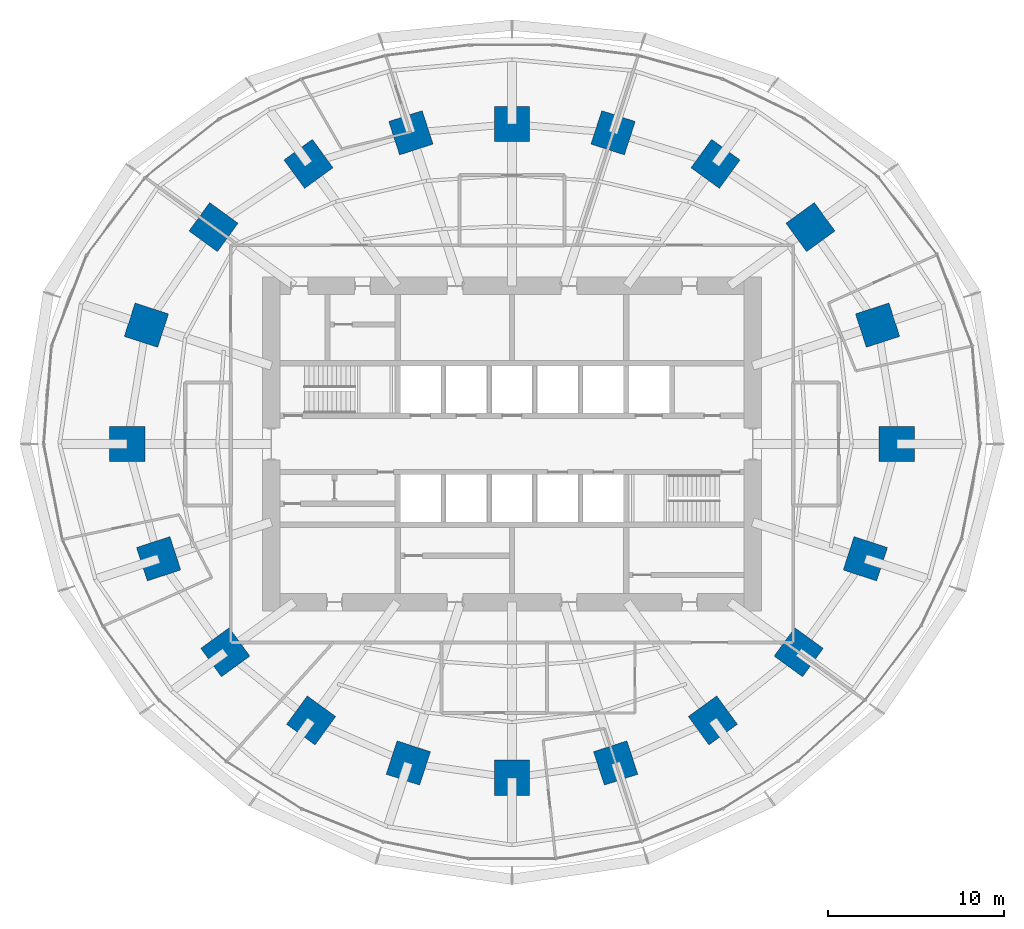
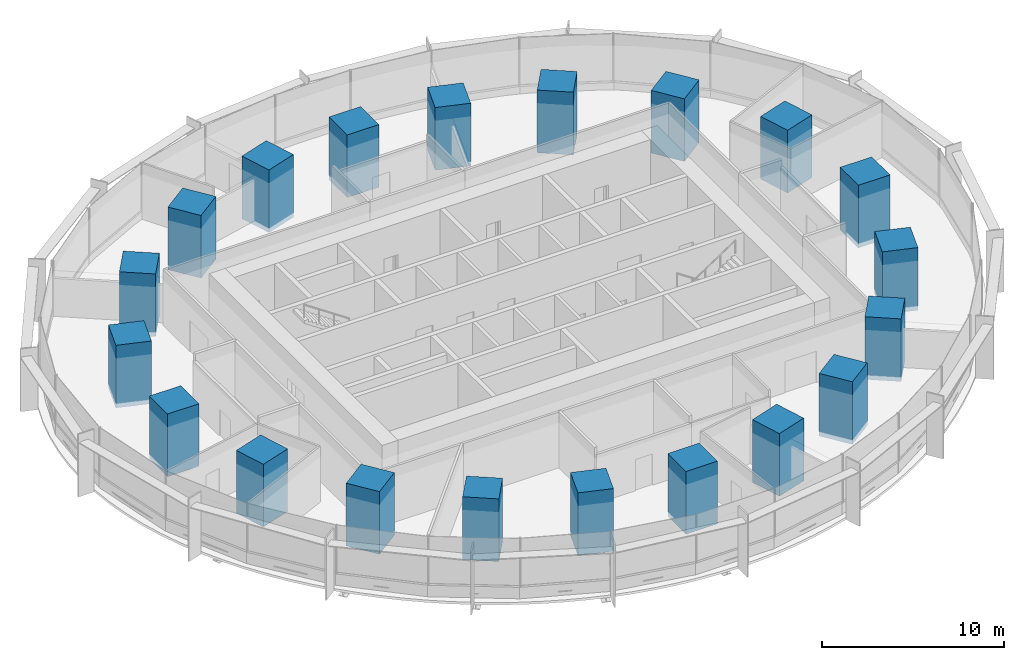
# One storey, part 1 of 15: 20 columns.
"""IFC4 building model written with IfcOpenShell, lengths in metres."""

from ifc_helpers import new_model, si_unit, direction, frame, origin, origin_2d, place, context, subcontext, project, spatial, rectangle, extrude, material, material_profile, profile_set, type_object, element, save


model = new_model("IFC4")

# Units and contexts
model_context = context("Model", 3, precision=1e-05, world=origin(), true_north=direction((0.0, 1.0)))
body_context = subcontext(model_context, "Body", "Model", "MODEL_VIEW")
ifc_project = project(units=[si_unit("LENGTHUNIT", "METRE"), si_unit("AREAUNIT", "SQUARE_METRE"), si_unit("VOLUMEUNIT", "CUBIC_METRE"), si_unit("PLANEANGLEUNIT", "RADIAN"), si_unit("MASSUNIT", "GRAM", prefix="KILO")], contexts=[model_context])

# Site, building, storey
site_placement = place(None, origin())
site = spatial("IfcSite", under=ifc_project, at=site_placement, CompositionType="ELEMENT")
building_placement = place(site_placement, origin())
building = spatial("IfcBuilding", under=site, at=building_placement, Name="Marramba Exchange Tower", CompositionType="ELEMENT")
storey_placement = place(building_placement, frame((0.0, 0.0, 70.0)))
storey = spatial("IfcBuildingStorey", under=building, at=storey_placement, Name="L16", CompositionType="ELEMENT", Elevation=70.0)

# Columns
ifc_material = material(Name="Concrete N50", Category="concrete")
ifc_material_profile = material_profile(ifc_material, rectangle(XDim=2.0, YDim=2.0, at=origin_2d()), Name="RC 2000x2000")
ifc_profile_set = profile_set([ifc_material_profile], Name="Concrete N50")
column_type = type_object("IfcColumnType", Name="Perimeter column RC 2000x2000 N50", PredefinedType="COLUMN", material=ifc_profile_set)
for number, where, z_axis, x_axis, name in (
    (1, (21.89990234375, 0.0, 0.0), (0.0, 0.0, 1.0), (1.0, 0.0, 0.0), "Column TC01 L16"),
    (2, (20.808349609375, 6.760986328125, 0.0), (0.0, 0.0, 1.0), (0.951056516295, 0.309016994375, 0.0), "Column TC02 L16"),
    (3, (16.98583984375, 12.3408203125, 0.0), (0.0, 0.0, 1.0), (0.809016994375, 0.587785252292, 0.0), "Column TC03 L16"),
    (4, (11.581298828125, 15.9404296875, 0.0), (0.0, 0.0, 1.0), (0.587785252292, 0.809016994375, 0.0), "Column TC04 L16"),
    (5, (5.75390625, 17.70849609375, 0.0), (0.0, 0.0, 1.0), (0.309016994375, 0.951056516295, 0.0), "Column TC05 L16"),
    (6, (0.0, 18.2041015625, 0.0), (0.0, 0.0, 1.0), (0.0, 1.0, 0.0), "Column TC06 L16"),
    (7, (-5.75390625, 17.70849609375, 0.0), (0.0, 0.0, 1.0), (-0.309016994375, 0.951056516295, 0.0), "Column TC07 L16"),
    (8, (-11.581298828125, 15.9404296875, 0.0), (0.0, 0.0, 1.0), (-0.587785252292, 0.809016994375, 0.0), "Column TC08 L16"),
    (9, (-16.98583984375, 12.3408203125, 0.0), (0.0, 0.0, 1.0), (-0.809016994375, 0.587785252292, 0.0), "Column TC09 L16"),
    (10, (-20.808349609375, 6.760986328125, 0.0), (0.0, 0.0, 1.0), (-0.951056516295, 0.309016994375, 0.0), "Column TC10 L16"),
    (11, (-21.89990234375, 0.0, 0.0), (0.0, 0.0, 1.0), (-1.0, 0.0, 0.0), "Column TC11 L16"),
    (12, (-20.109375, -6.533935546875, 0.0), (0.0, 0.0, 1.0), (-0.951056516295, -0.309016994375, 0.0), "Column TC12 L16"),
    (13, (-16.3154296875, -11.853759765625, 0.0), (0.0, 0.0, 1.0), (-0.809016994375, -0.587785252292, 0.0), "Column TC13 L16"),
    (14, (-11.430419921875, -15.732666015625, 0.0), (0.0, 0.0, 1.0), (-0.587785252292, -0.809016994375, 0.0), "Column TC14 L16"),
    (15, (-5.899658203125, -18.156982421875, 0.0), (0.0, 0.0, 1.0), (-0.309016994375, -0.951056516295, 0.0), "Column TC15 L16"),
    (16, (0.0, -18.99609375, 0.0), (0.0, 0.0, 1.0), (0.0, -1.0, 0.0), "Column TC16 L16"),
    (17, (5.899658203125, -18.156982421875, 0.0), (0.0, 0.0, 1.0), (0.309016994375, -0.951056516295, 0.0), "Column TC17 L16"),
    (18, (11.430419921875, -15.732666015625, 0.0), (0.0, 0.0, 1.0), (0.587785252292, -0.809016994375, 0.0), "Column TC18 L16"),
    (19, (16.3154296875, -11.853759765625, 0.0), (0.0, 0.0, 1.0), (0.809016994375, -0.587785252292, 0.0), "Column TC19 L16"),
    (20, (20.109375, -6.533935546875, 0.0), (0.0, 0.0, 1.0), (0.951056516295, -0.309016994375, 0.0), "Column TC20 L16"),
):
    element("IfcColumn", number, at=place(storey_placement, frame(where, z_axis=z_axis, x_axis=x_axis)), inside=storey, type_object=column_type, Name=name, PredefinedType="COLUMN", context=body_context, shape_type="SweptSolid", body=[
        extrude(rectangle(XDim=2.0, YDim=2.0, at=origin_2d()), origin(), (0.0, 0.0, 1.0), 4.199951171875),
    ])

save(model, "model.ifc")
